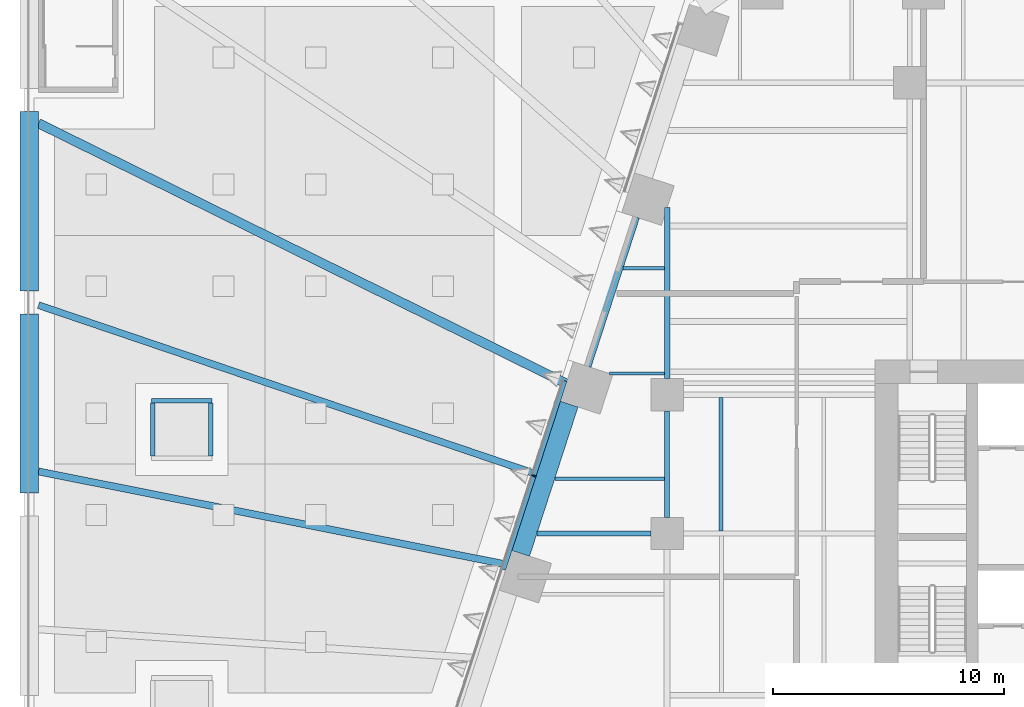
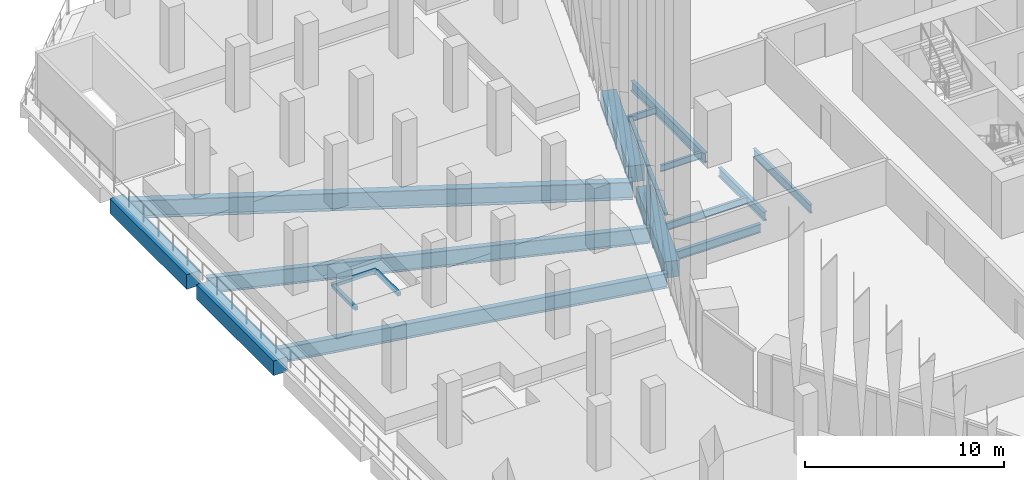
# One storey, part 8 of 51: 14 beams, 6 members, 1 element without a shape of its own.
"""IFC4 building model written with IfcOpenShell, lengths in metres."""

import ifcopenshell
import ifcopenshell.guid

model = None  # the IFC model being written
_history = None  # IfcOwnerHistory: only IFC2X3 demands one
_inside = {}  # id of a spatial element -> (the spatial element, [elements in it])
_under = {}  # id of a project, library or spatial element -> (it, [spatial elements below it])
_declared = {}  # id of a project -> (the project, [libraries it declares])
_typed = {}  # id of a type object -> (the type object, [elements of that type])
_made_of = {}  # id of a material, layer set ... -> (it, [elements and type objects made of it])


def new_model(schema):
    """Start an empty IFC model of exactly this schema.

    Asked for "IFC4X3", IfcOpenShell would pick the latest addendum, in which some entities
    have other attributes; the version numbers below select the first issue.
    IFC2X3 requires an IfcOwnerHistory on every rooted entity: one is made here for all.
    """
    global model, _history
    if schema == "IFC4X3":
        model = ifcopenshell.file(schema_version=(4, 3, 0, 0))
    else:
        model = ifcopenshell.file(schema=schema)
    _inside.clear()
    _under.clear()
    _declared.clear()
    _typed.clear()
    _made_of.clear()
    _history = None
    if model.schema == "IFC2X3":
        org = make("IfcOrganization", Name="unknown")
        user = make(
            "IfcPersonAndOrganization",
            ThePerson=make("IfcPerson", FamilyName="unknown"),
            TheOrganization=org,
        )
        app = make(
            "IfcApplication",
            ApplicationDeveloper=org,
            Version="unknown",
            ApplicationFullName="unknown",
            ApplicationIdentifier="unknown",
        )
        _history = make(
            "IfcOwnerHistory",
            OwningUser=user,
            OwningApplication=app,
            ChangeAction="ADDED",
            CreationDate=0,
        )
    return model


def make(cls, **values):
    """One entity of the class cls with the attributes given. An attribute that is None is left unset."""
    return model.create_entity(
        cls, **{name: value for name, value in values.items() if value is not None}
    )


def rooted(cls, **values):
    """An entity with a GlobalId (a new one), such as an element, a storey or a relation."""
    return make(cls, GlobalId=ifcopenshell.guid.new(), OwnerHistory=_history, **values)


def si_unit(unit_type, name, prefix=None):
    """IfcSIUnit, for example si_unit("LENGTHUNIT", "METRE", prefix="MILLI")."""
    return make("IfcSIUnit", UnitType=unit_type, Prefix=prefix, Name=name)


def assignment(units):
    """IfcUnitAssignment: the units of a project."""
    return None if units is None else make("IfcUnitAssignment", Units=units)


def point(xyz):
    """IfcCartesianPoint."""
    return None if xyz is None else make("IfcCartesianPoint", Coordinates=xyz)


def direction(xyz):
    """IfcDirection."""
    return None if xyz is None else make("IfcDirection", DirectionRatios=xyz)


def frame(location, z_axis=None, x_axis=None):
    """IfcAxis2Placement3D, a coordinate frame: its origin and axes. An axis left out is left unset."""
    return make(
        "IfcAxis2Placement3D",
        Location=point(location),
        Axis=direction(z_axis),
        RefDirection=direction(x_axis),
    )


def frame_2d(location, x_axis=None):
    """IfcAxis2Placement2D, a coordinate frame in the plane: its origin and x axis."""
    return make(
        "IfcAxis2Placement2D", Location=point(location), RefDirection=direction(x_axis)
    )


def origin():
    """The frame at (0, 0, 0) with its axes left unset."""
    return frame((0.0, 0.0, 0.0))


def origin_2d():
    """The frame at (0, 0) in the plane with its x axis left unset."""
    return frame_2d((0.0, 0.0))


def place(relative_to, where):
    """IfcLocalPlacement: puts the frame where relative to a parent placement (None: the world)."""
    return make(
        "IfcLocalPlacement", PlacementRelTo=relative_to, RelativePlacement=where
    )


def context(
    kind, dimensions, precision=None, world=None, true_north=None, identifier=None
):
    """IfcGeometricRepresentationContext, for example the 3D "Model" context."""
    return make(
        "IfcGeometricRepresentationContext",
        ContextIdentifier=identifier,
        ContextType=kind,
        CoordinateSpaceDimension=dimensions,
        Precision=precision,
        WorldCoordinateSystem=world,
        TrueNorth=true_north,
    )


def subcontext(parent, identifier, kind, view, scale=None):
    """IfcGeometricRepresentationSubContext, for example "Body" below "Model"."""
    return make(
        "IfcGeometricRepresentationSubContext",
        ContextIdentifier=identifier,
        ContextType=kind,
        ParentContext=parent,
        TargetScale=scale,
        TargetView=view,
    )


def project(units=None, contexts=None):
    """IfcProject with its units and contexts."""
    return rooted(
        "IfcProject",
        Name="project",
        RepresentationContexts=contexts,
        UnitsInContext=assignment(units),
    )


def spatial(cls, under=None, at=None, **own):
    """A site, building, storey or space (cls), placed at a placement, below another one or the project."""
    s = rooted(cls, ObjectPlacement=at, **own)
    if under is not None:
        _under.setdefault(under.id(), (under, []))[1].append(s)
    return s


def profile(cls, at=None, kind="AREA", **sizes):
    """A parametric profile (cls). Its sizes go by their IFC names, for example OverallWidth=200.0."""
    return make(cls, ProfileType=kind, Position=at, **sizes)


def rectangle(**sizes):
    """IfcRectangleProfileDef."""
    return profile("IfcRectangleProfileDef", **sizes)


def i_section(**sizes):
    """IfcIShapeProfileDef."""
    return profile("IfcIShapeProfileDef", **sizes)


def extrude(swept, where, along, depth):
    """IfcExtrudedAreaSolid: the profile swept, set in the frame where, extruded along a direction by depth."""
    return make(
        "IfcExtrudedAreaSolid",
        SweptArea=swept,
        Position=where,
        ExtrudedDirection=direction(along),
        Depth=depth,
    )


def shape(context_of_items, identifier, shape_type, items):
    """IfcShapeRepresentation: the items that make up one representation, for example the "Body"."""
    return make(
        "IfcShapeRepresentation",
        ContextOfItems=context_of_items,
        RepresentationIdentifier=identifier,
        RepresentationType=shape_type,
        Items=items,
    )


def material(Name=None, Category=None):
    """IfcMaterial."""
    return make("IfcMaterial", Name=Name, Category=Category)


def layer(
    of_material, thickness, ventilated=None, Name=None, Category=None, Priority=None
):
    """IfcMaterialLayer: one layer of a wall or slab, of a material (None: an air gap)."""
    return make(
        "IfcMaterialLayer",
        Material=of_material,
        LayerThickness=thickness,
        IsVentilated=ventilated,
        Name=Name,
        Category=Category,
        Priority=Priority,
    )


def layer_set(layers, Name=None):
    """IfcMaterialLayerSet."""
    return make("IfcMaterialLayerSet", MaterialLayers=layers, LayerSetName=Name)


def material_profile(
    of_material, cross_section, Name=None, Category=None, Priority=None
):
    """IfcMaterialProfile: a cross section and its material."""
    return make(
        "IfcMaterialProfile",
        Name=Name,
        Material=of_material,
        Profile=cross_section,
        Priority=Priority,
        Category=Category,
    )


def profile_set(profiles, Name=None, composite=None):
    """IfcMaterialProfileSet."""
    return make(
        "IfcMaterialProfileSet",
        Name=Name,
        MaterialProfiles=profiles,
        CompositeProfile=composite,
    )


def made_of(thing, what):
    """Note that an element or type object is made of a material, layer set ...; save() writes the relation."""
    if what is not None:
        _made_of.setdefault(what.id(), (what, []))[1].append(thing)
    return thing


def type_object(cls, material=None, **own):
    """A type object (cls), such as IfcWallType, which elements share."""
    return made_of(rooted(cls, **own), material)


def element(
    cls,
    number,
    at=None,
    inside=None,
    cuts=None,
    type_object=None,
    material=None,
    context=None,
    identifier="Body",
    shape_type=None,
    held_by="IfcProductDefinitionShape",
    body=None,
    shapes=None,
    **own,
):
    """One element of the class cls, such as IfcWall. Its Tag is "e" and its number.

    at: its placement. inside: the storey or other place that contains it. cuts: it is an
    opening in that element (IfcRelVoidsElement). A single representation is given by context,
    identifier, shape_type and body (its items); several are given by shapes. held_by: the class
    of the entity that holds the representations. save() writes the other relations.
    """
    e = rooted(cls, Tag="e%d" % number, ObjectPlacement=at, **own)
    if body is not None:
        shapes = [shape(context, identifier, shape_type, body)]
    if shapes is not None:
        e.Representation = make(held_by, Representations=shapes)
    if inside is not None:
        _inside.setdefault(inside.id(), (inside, []))[1].append(e)
    if cuts is not None:
        rooted(
            "IfcRelVoidsElement", RelatingBuildingElement=cuts, RelatedOpeningElement=e
        )
    if type_object is not None:
        _typed.setdefault(type_object.id(), (type_object, []))[1].append(e)
    return made_of(e, material)


def aggregate(whole, parts):
    """IfcRelAggregates: a whole, such as a stair, and the parts it consists of."""
    return rooted("IfcRelAggregates", RelatingObject=whole, RelatedObjects=parts)


def save(model, path):
    """Write the relations noted so far, then the file.

    IfcRelAggregates (storeys below a building ...), IfcRelContainedInSpatialStructure (elements
    in a storey), IfcRelDefinesByType, IfcRelAssociatesMaterial and IfcRelDeclares: one each for
    every whole, place, type object, material and project.
    """
    for whole, parts in _under.values():
        aggregate(whole, parts)
    for where, things in _inside.values():
        rooted(
            "IfcRelContainedInSpatialStructure",
            RelatedElements=things,
            RelatingStructure=where,
        )
    for kind, things in _typed.values():
        rooted("IfcRelDefinesByType", RelatedObjects=things, RelatingType=kind)
    for what, things in _made_of.values():
        rooted("IfcRelAssociatesMaterial", RelatedObjects=things, RelatingMaterial=what)
    for by, libraries in _declared.values():
        rooted("IfcRelDeclares", RelatingContext=by, RelatedDefinitions=libraries)
    model.write(path)


model = new_model("IFC4")

# Units and contexts
model_context = context("Model", 3, precision=1e-05, world=origin(), true_north=direction((0.0, 1.0)))
body_context = subcontext(model_context, "Body", "Model", "MODEL_VIEW")
ifc_project = project(units=[si_unit("LENGTHUNIT", "METRE"), si_unit("AREAUNIT", "SQUARE_METRE"), si_unit("VOLUMEUNIT", "CUBIC_METRE"), si_unit("PLANEANGLEUNIT", "RADIAN"), si_unit("MASSUNIT", "GRAM", prefix="KILO")], contexts=[model_context])

# Site, building, storey
site_placement = place(None, origin())
site = spatial("IfcSite", under=ifc_project, at=site_placement, CompositionType="ELEMENT")
building_placement = place(site_placement, origin())
building = spatial("IfcBuilding", under=site, at=building_placement, Name="Isthmus Gate Tower", CompositionType="ELEMENT")
storey_placement = place(building_placement, frame((0.0, 0.0, 36.0)))
storey = spatial("IfcBuildingStorey", under=building, at=storey_placement, Name="L06", CompositionType="ELEMENT", Elevation=36.0)

# Curtain wall, members
ifc_material_1 = material(Name="Aluminium, pale champagne anodised", Category="aluminium")
ifc_layer = layer(ifc_material_1, 0.199951171875)
ifc_layer_set = layer_set([ifc_layer], Name="CW-1 UNITISED CURTAIN WALL 200 DEEP")
curtain_wall_type = type_object("IfcCurtainWallType", Name="CW-1 UNITISED CURTAIN WALL 200 DEEP", PredefinedType="NOTDEFINED", material=ifc_layer_set)
curtain_wall_placement = place(storey_placement, origin())
curtain_wall = element("IfcCurtainWall", 1, at=curtain_wall_placement, inside=storey, type_object=curtain_wall_type, Name="CW-1 NW L06", PredefinedType="NOTDEFINED")
ifc_material_2 = material(Name="Aluminium, pale champagne anodised", Category="aluminium")
ifc_material_profile_1 = material_profile(ifc_material_2, rectangle(XDim=0.06005859375, YDim=0.199951171875, at=origin_2d()), Name="60x200")
ifc_profile_set_1 = profile_set([ifc_material_profile_1], Name="Aluminium, pale champagne anodised")
member_type_1 = type_object("IfcMemberType", Name="CW-1 MULLION 60 X 200", PredefinedType="MULLION", material=ifc_profile_set_1)
member_1_placement = place(storey_placement, frame((-29.76904296875, 9.994873046875, 0.0), z_axis=(0.0, 0.0, 1.0), x_axis=(-0.309016994375, -0.951056516295, 0.0)))
member_1 = element("IfcMember", 2, at=member_1_placement, type_object=member_type_1, Name="CW-1 mullion", PredefinedType="MULLION", context=body_context, shape_type="SweptSolid", body=[
    extrude(rectangle(XDim=0.06005859375, YDim=0.199951171875, at=origin_2d()), origin(), (0.0, 0.0, 1.0), 3.64990234375),
])
ifc_material_3 = material(Name="Aluminium, pale champagne anodised", Category="aluminium")
ifc_material_profile_2 = material_profile(ifc_material_3, rectangle(XDim=0.199951171875, YDim=0.14990234375, at=origin_2d()), Name="200x150")
ifc_profile_set_2 = profile_set([ifc_material_profile_2], Name="Aluminium, pale champagne anodised")
member_type_2 = type_object("IfcMemberType", Name="CW-1 TRANSOM 200 X 150", PredefinedType="USERDEFINED", material=ifc_profile_set_2)
member_2_placement = place(storey_placement, frame((-28.4326171875, 14.10791015625, 3.574951171875), z_axis=(-0.309021801109, -0.951054954479, 0.0), x_axis=(0.951054954479, -0.309021801109, 0.0)))
member_2 = element("IfcMember", 3, at=member_2_placement, type_object=member_type_2, Name="CW-1 transom", ObjectType="TRANSOM", PredefinedType="USERDEFINED", context=body_context, shape_type="SweptSolid", body=[
    extrude(rectangle(XDim=0.199951171875, YDim=0.14990234375, at=origin_2d()), origin(), (0.0, 0.0, 1.0), 4.294677734375),
])
member_3_placement = place(storey_placement, frame((-29.7783203125, 9.96630859375, 3.574951171875), z_axis=(-0.309023496777, -0.951054403512, 0.0), x_axis=(0.951054403512, -0.309023496777, 0.0)))
member_3 = element("IfcMember", 4, at=member_3_placement, type_object=member_type_2, Name="CW-1 transom", ObjectType="TRANSOM", PredefinedType="USERDEFINED", context=body_context, shape_type="SweptSolid", body=[
    extrude(rectangle(XDim=0.199951171875, YDim=0.14990234375, at=origin_2d()), origin(), (0.0, 0.0, 1.0), 4.234619140625),
])
aggregate(curtain_wall, [member_2, member_1, member_3])

# Beams
ifc_material_4 = material(Name="Concrete f'c 70 MPa", Category="concrete")
ifc_material_profile_3 = material_profile(ifc_material_4, rectangle(XDim=0.800048828125, YDim=0.89990234375, at=origin_2d()), Name="RC 800X900")
ifc_profile_set_3 = profile_set([ifc_material_profile_3], Name="Concrete f'c 70 MPa")
beam_type_1 = type_object("IfcBeamType", Name="RC EDGE BEAM 800 X 900", PredefinedType="BEAM", material=ifc_profile_set_3)
for number, where, z_axis, x_axis, name in (
    (5, (-51.60009765625, 9.25, -0.60009765625), (0.0, 1.0, 0.0), (-1.0, 0.0, 0.0), "str-edgebeam-L06-05"),
    (6, (-51.60009765625, 18.0, -0.60009765625), (0.0, 1.0, 0.0), (-1.0, 0.0, 0.0), "str-edgebeam-L06-06"),
):
    element("IfcBeam", number, at=place(storey_placement, frame(where, z_axis=z_axis, x_axis=x_axis)), inside=storey, type_object=beam_type_1, Name=name, PredefinedType="BEAM", context=body_context, shape_type="SweptSolid", body=[
        extrude(rectangle(XDim=0.800048828125, YDim=0.89990234375, at=origin_2d()), origin(), (0.0, 0.0, 1.0), 7.75),
    ])
ifc_material_5 = material(Name="Concrete f'c 70 MPa", Category="concrete")
ifc_material_profile_4 = material_profile(ifc_material_5, rectangle(XDim=0.800048828125, YDim=1.0, at=origin_2d()), Name="RC 800X1000")
ifc_profile_set_4 = profile_set([ifc_material_profile_4], Name="Concrete f'c 70 MPa")
beam_type_2 = type_object("IfcBeamType", Name="RC SPANDREL 800 X 1000", PredefinedType="SPANDREL", material=ifc_profile_set_4)
for number, where, z_axis, x_axis, name in (
    (7, (-30.333251953125, 6.640380859375, -0.5), (0.30900150794, 0.951061548004, 0.0), (-0.951061548004, 0.30900150794, 0.0), "str-spandrel-L06-19"),
    (8, (-27.67919921875, 14.809326171875, -0.5), (0.309034033576, 0.951050979754, 0.0), (-0.951050979754, 0.309034033576, 0.0), "str-spandrel-L06-20"),
):
    element("IfcBeam", number, at=place(storey_placement, frame(where, z_axis=z_axis, x_axis=x_axis)), inside=storey, type_object=beam_type_2, Name=name, PredefinedType="SPANDREL", context=body_context, shape_type="SweptSolid", body=[
        extrude(rectangle(XDim=0.800048828125, YDim=1.0, at=origin_2d()), origin(), (0.0, 0.0, 1.0), 6.789306640625),
    ])

# Members
ifc_material_6 = material(Name="Concrete C30/37", Category="concrete")
ifc_material_profile_5 = material_profile(ifc_material_6, rectangle(XDim=0.199951171875, YDim=0.199951171875, at=origin_2d()), Name="200x200")
ifc_profile_set_5 = profile_set([ifc_material_profile_5], Name="Concrete C30/37")
member_type_3 = type_object("IfcMemberType", Name="SKYLIGHT KERB 200 X 200", PredefinedType="USERDEFINED", material=ifc_profile_set_5)
member_4_placement = place(storey_placement, frame((-46.300048828125, 13.25, 0.10009765625), z_axis=(1.0, 0.0, 0.0), x_axis=(0.0, 1.0, 0.0)))
element("IfcMember", 9, at=member_4_placement, inside=storey, type_object=member_type_3, Name="Skylight kerb", ObjectType="KERB", PredefinedType="USERDEFINED", context=body_context, shape_type="SweptSolid", body=[
    extrude(rectangle(XDim=0.199951171875, YDim=0.199951171875, at=origin_2d()), origin(), (0.0, 0.0, 1.0), 2.60009765625),
])
for number, where, z_axis, x_axis, name in (
    (10, (-46.25, 10.85009765625, 0.10009765625), (0.0, 1.0, 0.0), (-1.0, 0.0, 0.0), "Skylight kerb"),
    (11, (-43.75, 10.85009765625, 0.10009765625), (0.0, 1.0, 0.0), (-1.0, 0.0, 0.0), "Skylight kerb"),
):
    element("IfcMember", number, at=place(storey_placement, frame(where, z_axis=z_axis, x_axis=x_axis)), inside=storey, type_object=member_type_3, Name=name, ObjectType="KERB", PredefinedType="USERDEFINED", context=body_context, shape_type="SweptSolid", body=[
        extrude(rectangle(XDim=0.199951171875, YDim=0.199951171875, at=origin_2d()), origin(), (0.0, 0.0, 1.0), 2.2998046875),
    ])

# Beams
ifc_material_7 = material(Name="Structural steel ASTM A992 Gr 50", Category="steel")
ifc_material_profile_6 = material_profile(ifc_material_7, i_section(OverallWidth=0.1396484375, OverallDepth=0.4033203125, WebThickness=0.00634765625, FlangeThickness=0.010986328125, at=origin_2d()), Name="W16X31")
ifc_profile_set_6 = profile_set([ifc_material_profile_6], Name="Structural steel ASTM A992 Gr 50")
beam_type_3 = type_object("IfcBeamType", Name="STEEL FLOOR BEAM W16X31", PredefinedType="JOIST", material=ifc_profile_set_6)
beam_1_placement = place(storey_placement, frame((-26.503662109375, 14.427490234375, -0.3515625), z_axis=(1.0, 0.0, 0.0), x_axis=(0.0, 1.0, 0.0)))
element("IfcBeam", 12, at=beam_1_placement, inside=storey, type_object=beam_type_3, Name="str-beam-L06-01-01", PredefinedType="JOIST", context=body_context, shape_type="SweptSolid", body=[
    extrude(i_section(OverallWidth=0.1396484375, OverallDepth=0.4033203125, WebThickness=0.00634765625, FlangeThickness=0.010986328125, at=origin_2d()), origin(), (0.0, 0.0, 1.0), 2.389404296875),
])
beam_2_placement = place(storey_placement, frame((-25.90478515625, 18.975830078125, -0.3515625), z_axis=(1.0, 0.0, 0.0), x_axis=(0.0, 1.0, 0.0)))
element("IfcBeam", 13, at=beam_2_placement, inside=storey, type_object=beam_type_3, Name="str-beam-L06-01-02", PredefinedType="JOIST", context=body_context, shape_type="SweptSolid", body=[
    extrude(i_section(OverallWidth=0.1396484375, OverallDepth=0.4033203125, WebThickness=0.00634765625, FlangeThickness=0.010986328125, at=origin_2d()), origin(), (0.0, 0.0, 1.0), 1.79052734375),
])
ifc_material_8 = material(Name="Structural steel ASTM A992 Gr 50", Category="steel")
ifc_material_profile_7 = material_profile(ifc_material_8, i_section(OverallWidth=0.15234375, OverallDepth=0.45068359375, WebThickness=0.0078125, FlangeThickness=0.010986328125, at=origin_2d()), Name="W18X35")
ifc_profile_set_7 = profile_set([ifc_material_profile_7], Name="Structural steel ASTM A992 Gr 50")
beam_type_4 = type_object("IfcBeamType", Name="STEEL FLOOR BEAM W18X35", PredefinedType="JOIST", material=ifc_profile_set_7)
beam_3_placement = place(storey_placement, frame((-28.860595703125, 9.87890625, -0.37548828125), z_axis=(1.0, 0.0, 0.0), x_axis=(0.0, 1.0, 0.0)))
element("IfcBeam", 14, at=beam_3_placement, inside=storey, type_object=beam_type_4, Name="str-beam-L06-01-00", PredefinedType="JOIST", context=body_context, shape_type="SweptSolid", body=[
    extrude(i_section(OverallWidth=0.15234375, OverallDepth=0.45068359375, WebThickness=0.0078125, FlangeThickness=0.010986328125, at=origin_2d()), origin(), (0.0, 0.0, 1.0), 4.755859375),
])
ifc_material_9 = material(Name="Structural steel ASTM A992 Gr 50", Category="steel")
ifc_material_profile_8 = material_profile(ifc_material_9, i_section(OverallWidth=0.1650390625, OverallDepth=0.52392578125, WebThickness=0.009521484375, FlangeThickness=0.010986328125, at=origin_2d()), Name="W21X44")
ifc_profile_set_8 = profile_set([ifc_material_profile_8], Name="Structural steel ASTM A992 Gr 50")
beam_type_5 = type_object("IfcBeamType", Name="STEEL FLOOR BEAM W21X44", PredefinedType="JOIST", material=ifc_profile_set_8)
beam_4_placement = place(storey_placement, frame((-21.67138671875, 7.6142578125, -0.411865234375), z_axis=(0.0, 1.0, 0.0), x_axis=(-1.0, 0.0, 0.0)))
element("IfcBeam", 15, at=beam_4_placement, inside=storey, type_object=beam_type_5, Name="str-beam-L06-03-00", PredefinedType="JOIST", context=body_context, shape_type="SweptSolid", body=[
    extrude(i_section(OverallWidth=0.1650390625, OverallDepth=0.52392578125, WebThickness=0.009521484375, FlangeThickness=0.010986328125, at=origin_2d()), origin(), (0.0, 0.0, 1.0), 5.771484375),
])
ifc_material_10 = material(Name="Structural steel ASTM A992 Gr 50", Category="steel")
ifc_material_profile_9 = material_profile(ifc_material_10, i_section(OverallWidth=0.20947265625, OverallDepth=0.533447265625, WebThickness=0.009521484375, FlangeThickness=0.015869140625, at=origin_2d()), Name="W21X62")
ifc_profile_set_9 = profile_set([ifc_material_profile_9], Name="Structural steel ASTM A992 Gr 50")
beam_type_6 = type_object("IfcBeamType", Name="STEEL GIRDER W21X62", PredefinedType="BEAM", material=ifc_profile_set_9)
beam_5_placement = place(storey_placement, frame((-29.633544921875, 7.5, -0.416748046875), z_axis=(1.0, 0.0, 0.0), x_axis=(0.0, 1.0, 0.0)))
element("IfcBeam", 16, at=beam_5_placement, inside=storey, type_object=beam_type_6, Name="str-girder-L06-09", PredefinedType="BEAM", context=body_context, shape_type="SweptSolid", body=[
    extrude(i_section(OverallWidth=0.20947265625, OverallDepth=0.533447265625, WebThickness=0.009521484375, FlangeThickness=0.015869140625, at=origin_2d()), origin(), (0.0, 0.0, 1.0), 4.93359375),
])
beam_6_placement = place(storey_placement, frame((-24.0, 8.199951171875, -0.416748046875), z_axis=(0.0, 1.0, 0.0), x_axis=(-1.0, 0.0, 0.0)))
element("IfcBeam", 17, at=beam_6_placement, inside=storey, type_object=beam_type_6, Name="str-girder-L06-21", PredefinedType="BEAM", context=body_context, shape_type="SweptSolid", body=[
    extrude(i_section(OverallWidth=0.20947265625, OverallDepth=0.533447265625, WebThickness=0.009521484375, FlangeThickness=0.015869140625, at=origin_2d()), origin(), (0.0, 0.0, 1.0), 4.60009765625),
])
ifc_material_11 = material(Name="Structural steel ASTM A992 Gr 50", Category="steel")
ifc_material_profile_10 = material_profile(ifc_material_11, i_section(OverallWidth=0.228515625, OverallDepth=0.603271484375, WebThickness=0.010986328125, FlangeThickness=0.014404296875, at=origin_2d()), Name="W24X68")
ifc_profile_set_10 = profile_set([ifc_material_profile_10], Name="Structural steel ASTM A992 Gr 50")
beam_type_7 = type_object("IfcBeamType", Name="STEEL GIRDER W24X68", PredefinedType="BEAM", material=ifc_profile_set_10)
beam_7_placement = place(storey_placement, frame((-24.0, 14.199951171875, -0.45166015625), z_axis=(0.0, 1.0, 0.0), x_axis=(-1.0, 0.0, 0.0)))
element("IfcBeam", 18, at=beam_7_placement, inside=storey, type_object=beam_type_7, Name="str-girder-L06-22", PredefinedType="BEAM", context=body_context, shape_type="SweptSolid", body=[
    extrude(i_section(OverallWidth=0.228515625, OverallDepth=0.603271484375, WebThickness=0.010986328125, FlangeThickness=0.014404296875, at=origin_2d()), origin(), (0.0, 0.0, 1.0), 7.402099609375),
])
ifc_material_12 = material(Name="Structural steel ASTM A992 Gr 50", Category="steel")
ifc_material_profile_11 = material_profile(ifc_material_12, i_section(OverallWidth=0.3046875, OverallDepth=0.914306640625, WebThickness=0.015869140625, FlangeThickness=0.025390625, at=origin_2d()), Name="W36X160")
ifc_profile_set_11 = profile_set([ifc_material_profile_11], Name="Structural steel ASTM A992 Gr 50")
beam_type_8 = type_object("IfcBeamType", Name="STEEL LEDGE BEAM W36X160", PredefinedType="JOIST", material=ifc_profile_set_11)
beam_8_placement = place(storey_placement, frame((-30.91357421875, 6.149169921875, -0.607177734375), z_axis=(-0.980785789336, 0.195087763423, 0.0), x_axis=(-0.195087763423, -0.980785789336, 0.0)))
element("IfcBeam", 19, at=beam_8_placement, inside=storey, type_object=beam_type_8, Name="str-ringbeam-L06-00-22", PredefinedType="JOIST", context=body_context, shape_type="SweptSolid", body=[
    extrude(i_section(OverallWidth=0.3046875, OverallDepth=0.914306640625, WebThickness=0.015869140625, FlangeThickness=0.025390625, at=origin_2d()), origin(), (0.0, 0.0, 1.0), 20.683837890625),
])
ifc_material_13 = material(Name="Structural steel ASTM A992 Gr 50", Category="steel")
ifc_material_profile_12 = material_profile(ifc_material_13, i_section(OverallWidth=0.29833984375, OverallDepth=0.981201171875, WebThickness=0.015869140625, FlangeThickness=0.025390625, at=origin_2d()), Name="W40X167")
ifc_profile_set_12 = profile_set([ifc_material_profile_12], Name="Structural steel ASTM A992 Gr 50")
beam_type_9 = type_object("IfcBeamType", Name="STEEL LEDGE BEAM W40X167", PredefinedType="JOIST", material=ifc_profile_set_12)
beam_9_placement = place(storey_placement, frame((-29.64208984375, 10.062255859375, -0.640625), z_axis=(-0.946930620787, 0.321438018001, 0.0), x_axis=(-0.321438018001, -0.946930620787, 0.0)))
element("IfcBeam", 20, at=beam_9_placement, inside=storey, type_object=beam_type_9, Name="str-ringbeam-L06-00-21", PredefinedType="JOIST", context=body_context, shape_type="SweptSolid", body=[
    extrude(i_section(OverallWidth=0.29833984375, OverallDepth=0.981201171875, WebThickness=0.015869140625, FlangeThickness=0.025390625, at=origin_2d()), origin(), (0.0, 0.0, 1.0), 22.76611328125),
])
ifc_material_14 = material(Name="Structural steel ASTM A992 Gr 50", Category="steel")
ifc_material_profile_13 = material_profile(ifc_material_14, i_section(OverallWidth=0.39990234375, OverallDepth=1.089111328125, WebThickness=0.017578125, FlangeThickness=0.03173828125, at=origin_2d()), Name="W44X230")
ifc_profile_set_13 = profile_set([ifc_material_profile_13], Name="Structural steel ASTM A992 Gr 50")
beam_type_10 = type_object("IfcBeamType", Name="STEEL LEDGE BEAM W44X230", PredefinedType="JOIST", material=ifc_profile_set_13)
beam_10_placement = place(storey_placement, frame((-28.3662109375, 13.98876953125, -0.694580078125), z_axis=(-0.896874309732, 0.442285510211, 0.0), x_axis=(-0.442285510211, -0.896874309732, 0.0)))
element("IfcBeam", 21, at=beam_10_placement, inside=storey, type_object=beam_type_10, Name="str-ringbeam-L06-00-20", PredefinedType="JOIST", context=body_context, shape_type="SweptSolid", body=[
    extrude(i_section(OverallWidth=0.39990234375, OverallDepth=1.089111328125, WebThickness=0.017578125, FlangeThickness=0.03173828125, at=origin_2d()), origin(), (0.0, 0.0, 1.0), 25.459228515625),
])

save(model, "model.ifc")
